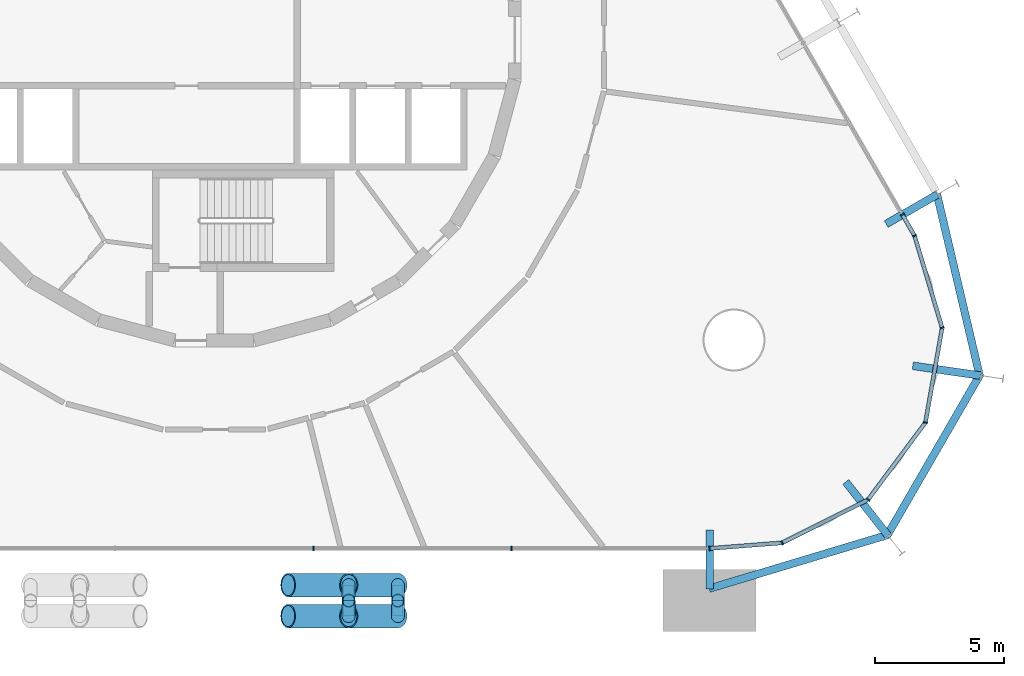
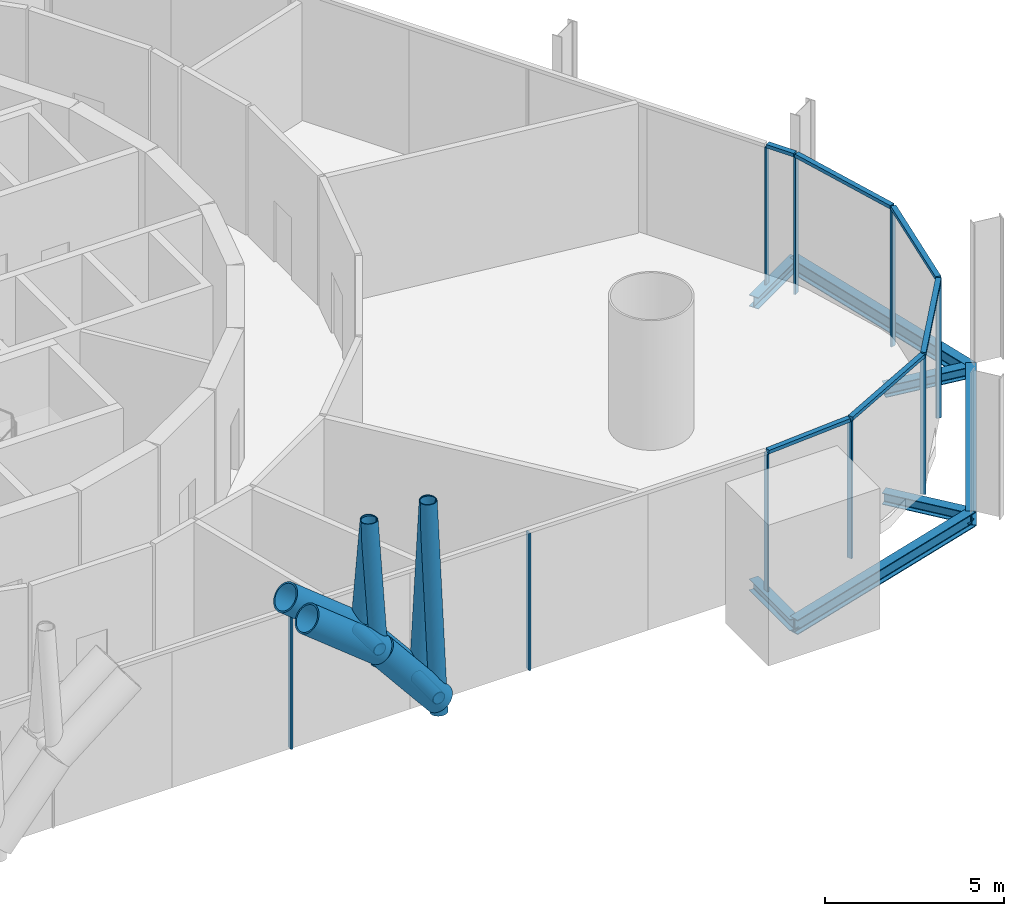
# One storey, part 6 of 17: 25 members, 7 beams, 3 elements without a shape of their own.
"""IFC4 building model written with IfcOpenShell, lengths in metres."""

from ifc_helpers import new_model, si_unit, direction, frame, origin, origin_2d, place, context, subcontext, project, spatial, rectangle, hollow_circle, i_section, extrude, material, layer, layer_set, material_profile, profile_set, type_object, element, aggregate, save


model = new_model("IFC4")

# Units and contexts
model_context = context("Model", 3, precision=1e-05, world=origin(), true_north=direction((0.0, 1.0)))
body_context = subcontext(model_context, "Body", "Model", "MODEL_VIEW")
ifc_project = project(units=[si_unit("LENGTHUNIT", "METRE"), si_unit("AREAUNIT", "SQUARE_METRE"), si_unit("VOLUMEUNIT", "CUBIC_METRE"), si_unit("PLANEANGLEUNIT", "RADIAN"), si_unit("MASSUNIT", "GRAM", prefix="KILO")], contexts=[model_context])

# Site, building, storey
site_placement = place(None, origin())
site = spatial("IfcSite", under=ifc_project, at=site_placement, CompositionType="ELEMENT")
building_placement = place(site_placement, origin())
building = spatial("IfcBuilding", under=site, at=building_placement, Name="Spindle Arch Residences", CompositionType="ELEMENT")
storey_placement = place(building_placement, frame((0.0, 0.0, 23.39990234375)))
storey = spatial("IfcBuildingStorey", under=building, at=storey_placement, Name="L04", CompositionType="ELEMENT", Elevation=23.39990234375)

# Members
ifc_material_1 = material(Name="Steel S355J2, intumescent coating R 240", Category="steel")
ifc_material_profile_1 = material_profile(ifc_material_1, hollow_circle(Radius=0.25390625, WallThickness=0.02490234375, at=origin_2d()), Name="CHS 508x25")
ifc_profile_set_1 = profile_set([ifc_material_profile_1], Name="Steel S355J2, intumescent coating R 240")
member_type_1 = type_object("IfcMemberType", Name="Arch hanger CHS 508x25", PredefinedType="BRACE", material=ifc_profile_set_1)
member_1_placement = place(storey_placement, frame((5.21142578125, -21.72998046875, 8.14208984375), z_axis=(0.0, -0.131759755741, -0.991281678822), x_axis=(1.0, 0.0, 0.0)))
element("IfcMember", 1, at=member_1_placement, inside=storey, type_object=member_type_1, Name="Arch hanger 1.14", PredefinedType="BRACE", context=body_context, shape_type="SweptSolid", body=[
    extrude(hollow_circle(Radius=0.25390625, WallThickness=0.02490234375, at=origin_2d()), origin(), (0.0, 0.0, 1.0), 4.552734375),
])
member_2_placement = place(storey_placement, frame((7.11669921875, -21.72998046875, 8.14208984375), z_axis=(0.0, -0.087358368401, -0.996176949879), x_axis=(1.0, 0.0, 0.0)))
element("IfcMember", 2, at=member_2_placement, inside=storey, type_object=member_type_1, Name="Arch hanger 1.15", PredefinedType="BRACE", context=body_context, shape_type="SweptSolid", body=[
    extrude(hollow_circle(Radius=0.25390625, WallThickness=0.02490234375, at=origin_2d()), origin(), (0.0, 0.0, 1.0), 6.86669921875),
])
member_3_placement = place(storey_placement, frame((5.21142578125, -21.72998046875, 8.14208984375), z_axis=(0.0, 0.13181245047, -0.991274673287), x_axis=(-1.0, 0.0, 0.0)))
element("IfcMember", 3, at=member_3_placement, inside=storey, type_object=member_type_1, Name="Arch hanger 2.14", PredefinedType="BRACE", context=body_context, shape_type="SweptSolid", body=[
    extrude(hollow_circle(Radius=0.25390625, WallThickness=0.02490234375, at=origin_2d()), origin(), (0.0, 0.0, 1.0), 4.552734375),
])
member_4_placement = place(storey_placement, frame((7.11669921875, -21.72998046875, 8.14208984375), z_axis=(0.0, 0.087393651791, -0.996173855121), x_axis=(-1.0, 0.0, 0.0)))
element("IfcMember", 4, at=member_4_placement, inside=storey, type_object=member_type_1, Name="Arch hanger 2.15", PredefinedType="BRACE", context=body_context, shape_type="SweptSolid", body=[
    extrude(hollow_circle(Radius=0.25390625, WallThickness=0.02490234375, at=origin_2d()), origin(), (0.0, 0.0, 1.0), 6.86669921875),
])
ifc_material_2 = material(Name="Steel S355J2, intumescent coating R 240", Category="steel")
ifc_material_profile_2 = material_profile(ifc_material_2, hollow_circle(Radius=0.45703125, WallThickness=0.050048828125, at=origin_2d()), Name="CHS 914x50")
ifc_profile_set_2 = profile_set([ifc_material_profile_2], Name="Steel S355J2, intumescent coating R 240")
member_type_2 = type_object("IfcMemberType", Name="Arch rib CHS 914x50", PredefinedType="MEMBER", material=ifc_profile_set_2)
member_5_placement = place(storey_placement, frame((2.8623046875, -22.329833984375, 5.965576171875), z_axis=(0.780852974485, 0.0, -0.624714840738), x_axis=(0.0, 1.0, 0.0)))
element("IfcMember", 5, at=member_5_placement, inside=storey, type_object=member_type_2, Name="Arch rib 1.14", PredefinedType="MEMBER", context=body_context, shape_type="SweptSolid", body=[
    extrude(hollow_circle(Radius=0.45703125, WallThickness=0.050048828125, at=origin_2d()), origin(), (0.0, 0.0, 1.0), 3.00830078125),
])
member_6_placement = place(storey_placement, frame((5.21142578125, -22.329833984375, 4.086181640625), z_axis=(0.633445512731, 0.0, -0.773787297906), x_axis=(0.0, 1.0, 0.0)))
element("IfcMember", 6, at=member_6_placement, inside=storey, type_object=member_type_2, Name="Arch rib 1.15", PredefinedType="MEMBER", context=body_context, shape_type="SweptSolid", body=[
    extrude(hollow_circle(Radius=0.45703125, WallThickness=0.050048828125, at=origin_2d()), origin(), (0.0, 0.0, 1.0), 3.0078125),
])
member_7_placement = place(storey_placement, frame((2.8623046875, -21.1298828125, 5.965576171875), z_axis=(0.780852974485, 0.0, -0.624714840738), x_axis=(0.0, 1.0, 0.0)))
element("IfcMember", 7, at=member_7_placement, inside=storey, type_object=member_type_2, Name="Arch rib 2.14", PredefinedType="MEMBER", context=body_context, shape_type="SweptSolid", body=[
    extrude(hollow_circle(Radius=0.45703125, WallThickness=0.050048828125, at=origin_2d()), origin(), (0.0, 0.0, 1.0), 3.00830078125),
])
member_8_placement = place(storey_placement, frame((5.21142578125, -21.1298828125, 4.086181640625), z_axis=(0.633445512731, 0.0, -0.773787297906), x_axis=(0.0, 1.0, 0.0)))
element("IfcMember", 8, at=member_8_placement, inside=storey, type_object=member_type_2, Name="Arch rib 2.15", PredefinedType="MEMBER", context=body_context, shape_type="SweptSolid", body=[
    extrude(hollow_circle(Radius=0.45703125, WallThickness=0.050048828125, at=origin_2d()), origin(), (0.0, 0.0, 1.0), 3.0078125),
])
ifc_material_3 = material(Name="Steel S355J2, intumescent coating R 240", Category="steel")
ifc_material_profile_3 = material_profile(ifc_material_3, hollow_circle(Radius=0.203125, WallThickness=0.02001953125, at=origin_2d()), Name="CHS 406.4x20")
ifc_profile_set_3 = profile_set([ifc_material_profile_3], Name="Steel S355J2, intumescent coating R 240")
member_type_3 = type_object("IfcMemberType", Name="Arch tie CHS 406.4x20", PredefinedType="MEMBER", material=ifc_profile_set_3)
for number, where, z_axis, x_axis, name in (
    (9, (5.21142578125, -22.329833984375, 4.086181640625), (0.0, 1.0, 0.0), (-1.0, 0.0, 0.0), "Arch tie 14"),
    (10, (7.11669921875, -22.329833984375, 1.7587890625), (0.0, 1.0, 0.0), (-1.0, 0.0, 0.0), "Arch tie 15"),
):
    element("IfcMember", number, at=place(storey_placement, frame(where, z_axis=z_axis, x_axis=x_axis)), inside=storey, type_object=member_type_3, Name=name, PredefinedType="MEMBER", context=body_context, shape_type="SweptSolid", body=[
        extrude(hollow_circle(Radius=0.203125, WallThickness=0.02001953125, at=origin_2d()), origin(), (0.0, 0.0, 1.0), 1.199951171875),
    ])

# Curtain wall, members
ifc_material_4 = material(Name="Aluminium bronze unitised frame with tinted glass", Category="aluminium")
ifc_layer_1 = layer(ifc_material_4, 0.159912109375)
ifc_layer_set_1 = layer_set([ifc_layer_1], Name="CW-D corner wall on the fillet arcs")
curtain_wall_type_1 = type_object("IfcCurtainWallType", Name="CW-D corner wall on the fillet arcs", PredefinedType="NOTDEFINED", material=ifc_layer_set_1)
curtain_wall_1_placement = place(storey_placement, origin())
curtain_wall_1 = element("IfcCurtainWall", 11, at=curtain_wall_1_placement, inside=storey, type_object=curtain_wall_type_1, Name="CW-D L04 run 1", PredefinedType="NOTDEFINED")
ifc_material_5 = material(Name="Aluminium bronze anodised mullion", Category="aluminium")
ifc_material_profile_4 = material_profile(ifc_material_5, rectangle(XDim=0.159912109375, YDim=0.06005859375, at=origin_2d()), Name="MU 60x160")
ifc_profile_set_4 = profile_set([ifc_material_profile_4], Name="Aluminium bronze anodised mullion")
member_type_4 = type_object("IfcMemberType", Name="Bronze mullion 60x160", PredefinedType="MULLION", material=ifc_profile_set_4)
member_9_placement = place(storey_placement, frame((19.2001953125, -19.7099609375, -0.3798828125), z_axis=(0.0, 0.0, 1.0), x_axis=(-0.077364085451, 0.997002907861, 0.0)))
member_9 = element("IfcMember", 12, at=member_9_placement, type_object=member_type_4, Name="CW-D mullion 00", PredefinedType="MULLION", context=body_context, shape_type="SweptSolid", body=[
    extrude(rectangle(XDim=0.159912109375, YDim=0.06005859375, at=origin_2d()), origin(), (0.0, 0.0, 1.0), 4.679931640625),
])
member_10_placement = place(storey_placement, frame((22.007080078125, -19.4921875, -0.3798828125), z_axis=(0.0, 0.0, 1.0), x_axis=(-0.448799176213, 0.893632642326, 0.0)))
member_10 = element("IfcMember", 13, at=member_10_placement, type_object=member_type_4, Name="CW-D mullion 01", PredefinedType="MULLION", context=body_context, shape_type="SweptSolid", body=[
    extrude(rectangle(XDim=0.159912109375, YDim=0.06005859375, at=origin_2d()), origin(), (0.0, 0.0, 1.0), 4.679931640625),
])
member_11_placement = place(storey_placement, frame((25.33740234375, -17.819580078125, -0.3798828125), z_axis=(0.0, 0.0, 1.0), x_axis=(-0.802123189687, 0.597158595823, 0.0)))
member_11 = element("IfcMember", 14, at=member_11_placement, type_object=member_type_4, Name="CW-D mullion 02", PredefinedType="MULLION", context=body_context, shape_type="SweptSolid", body=[
    extrude(rectangle(XDim=0.159912109375, YDim=0.06005859375, at=origin_2d()), origin(), (0.0, 0.0, 1.0), 4.679931640625),
])
member_12_placement = place(storey_placement, frame((27.562744140625, -14.830322265625, -0.3798828125), z_axis=(0.0, 0.0, 1.0), x_axis=(-0.984807752421, 0.173648181019, 0.0)))
member_12 = element("IfcMember", 15, at=member_12_placement, type_object=member_type_4, Name="CW-D mullion 03", PredefinedType="MULLION", context=body_context, shape_type="SweptSolid", body=[
    extrude(rectangle(XDim=0.159912109375, YDim=0.06005859375, at=origin_2d()), origin(), (0.0, 0.0, 1.0), 4.679931640625),
])
member_13_placement = place(storey_placement, frame((28.2099609375, -11.16015625, -0.3798828125), z_axis=(0.0, 0.0, 1.0), x_axis=(-0.957989512975, -0.28680323051, 0.0)))
member_13 = element("IfcMember", 16, at=member_13_placement, type_object=member_type_4, Name="CW-D mullion 04", PredefinedType="MULLION", context=body_context, shape_type="SweptSolid", body=[
    extrude(rectangle(XDim=0.159912109375, YDim=0.06005859375, at=origin_2d()), origin(), (0.0, 0.0, 1.0), 4.679931640625),
])
member_14_placement = place(storey_placement, frame((27.14111328125, -7.58984375, -0.3798828125), z_axis=(0.0, 0.0, 1.0), x_axis=(-0.866025403784, -0.5, 0.0)))
member_14 = element("IfcMember", 17, at=member_14_placement, type_object=member_type_4, Name="CW-D mullion 05", PredefinedType="MULLION", context=body_context, shape_type="SweptSolid", body=[
    extrude(rectangle(XDim=0.159912109375, YDim=0.06005859375, at=origin_2d()), origin(), (0.0, 0.0, 1.0), 4.679931640625),
])

# Curtain wall, member
ifc_material_6 = material(Name="Aluminium bronze unitised frame with tinted glass", Category="aluminium")
ifc_layer_2 = layer(ifc_material_6, 0.159912109375)
ifc_layer_set_2 = layer_set([ifc_layer_2], Name="CW-B amenity podium glazed wall")
curtain_wall_type_2 = type_object("IfcCurtainWallType", Name="CW-B amenity podium glazed wall", PredefinedType="NOTDEFINED", material=ifc_layer_set_2)
curtain_wall_2_placement = place(storey_placement, origin())
curtain_wall_2 = element("IfcCurtainWall", 18, at=curtain_wall_2_placement, inside=storey, type_object=curtain_wall_type_2, Name="CW-B L04 run 2", PredefinedType="NOTDEFINED")
member_15_placement = place(storey_placement, frame((26.66943359375, -6.77294921875, -0.3798828125), z_axis=(0.0, 0.0, 1.0), x_axis=(-0.866025403784, -0.5, 0.0)))
member_15 = element("IfcMember", 19, at=member_15_placement, type_object=member_type_4, Name="CW-B mullion 05", PredefinedType="MULLION", context=body_context, shape_type="SweptSolid", body=[
    extrude(rectangle(XDim=0.159912109375, YDim=0.06005859375, at=origin_2d()), origin(), (0.0, 0.0, 1.0), 4.679931640625),
])
aggregate(curtain_wall_2, [member_15])

# Curtain wall, members
curtain_wall_3_placement = place(storey_placement, origin())
curtain_wall_3 = element("IfcCurtainWall", 20, at=curtain_wall_3_placement, inside=storey, type_object=curtain_wall_type_2, Name="CW-B L04 run 6", PredefinedType="NOTDEFINED")
member_16_placement = place(storey_placement, frame((3.840087890625, -19.7099609375, -0.3798828125), z_axis=(0.0, 0.0, 1.0), x_axis=(0.0, 1.0, 0.0)))
member_16 = element("IfcMember", 21, at=member_16_placement, type_object=member_type_4, Name="CW-B mullion 00", PredefinedType="MULLION", context=body_context, shape_type="SweptSolid", body=[
    extrude(rectangle(XDim=0.159912109375, YDim=0.06005859375, at=origin_2d()), origin(), (0.0, 0.0, 1.0), 4.679931640625),
])
member_17_placement = place(storey_placement, frame((11.52001953125, -19.7099609375, -0.3798828125), z_axis=(0.0, 0.0, 1.0), x_axis=(0.0, 1.0, 0.0)))
member_17 = element("IfcMember", 22, at=member_17_placement, type_object=member_type_4, Name="CW-B mullion 01", PredefinedType="MULLION", context=body_context, shape_type="SweptSolid", body=[
    extrude(rectangle(XDim=0.159912109375, YDim=0.06005859375, at=origin_2d()), origin(), (0.0, 0.0, 1.0), 4.679931640625),
])
aggregate(curtain_wall_3, [member_16, member_17])

# Member
ifc_material_7 = material(Name="Aluminium bronze anodised transom", Category="aluminium")
ifc_material_profile_5 = material_profile(ifc_material_7, rectangle(XDim=0.159912109375, YDim=0.1201171875, at=origin_2d()), Name="TR 120x160")
ifc_profile_set_5 = profile_set([ifc_material_profile_5], Name="Aluminium bronze anodised transom")
member_type_5 = type_object("IfcMemberType", Name="Bronze transom 120x160", PredefinedType="USERDEFINED", material=ifc_profile_set_5)
member_18_placement = place(storey_placement, frame((19.22998046875, -19.70751953125, 4.360107421875), z_axis=(0.997003710875, 0.077353736189, 0.0), x_axis=(-0.077353736189, 0.997003710875, 0.0)))
member_18 = element("IfcMember", 23, at=member_18_placement, type_object=member_type_5, Name="CW-D transom 00", ObjectType="TRANSOM", PredefinedType="USERDEFINED", context=body_context, shape_type="SweptSolid", body=[
    extrude(rectangle(XDim=0.159912109375, YDim=0.1201171875, at=origin_2d()), origin(), (0.0, 0.0, 1.0), 2.75537109375),
])

member_19_placement = place(storey_placement, frame((22.03369140625, -19.478759765625, 4.360107421875), z_axis=(0.893626812559, 0.448810784046, 0.0), x_axis=(-0.448810784046, 0.893626812559, 0.0)))
member_19 = element("IfcMember", 24, at=member_19_placement, type_object=member_type_5, Name="CW-D transom 01", ObjectType="TRANSOM", PredefinedType="USERDEFINED", context=body_context, shape_type="SweptSolid", body=[
    extrude(rectangle(XDim=0.159912109375, YDim=0.1201171875, at=origin_2d()), origin(), (0.0, 0.0, 1.0), 3.6669921875),
])

member_20_placement = place(storey_placement, frame((25.355224609375, -17.79541015625, 4.360107421875), z_axis=(0.597173190998, 0.802112323776, 0.0), x_axis=(-0.802112323776, 0.597173190998, 0.0)))
member_20 = element("IfcMember", 25, at=member_20_placement, type_object=member_type_5, Name="CW-D transom 02", ObjectType="TRANSOM", PredefinedType="USERDEFINED", context=body_context, shape_type="SweptSolid", body=[
    extrude(rectangle(XDim=0.159912109375, YDim=0.1201171875, at=origin_2d()), origin(), (0.0, 0.0, 1.0), 3.666748046875),
])

member_21_placement = place(storey_placement, frame((27.56787109375, -14.80078125, 4.360107421875), z_axis=(0.173709368694, 0.984796961423, 0.0), x_axis=(-0.984796961423, 0.173709368694, 0.0)))
member_21 = element("IfcMember", 26, at=member_21_placement, type_object=member_type_5, Name="CW-D transom 03", ObjectType="TRANSOM", PredefinedType="USERDEFINED", context=body_context, shape_type="SweptSolid", body=[
    extrude(rectangle(XDim=0.159912109375, YDim=0.1201171875, at=origin_2d()), origin(), (0.0, 0.0, 1.0), 3.666748046875),
])

member_22_placement = place(storey_placement, frame((28.201416015625, -11.13134765625, 4.360107421875), z_axis=(-0.286834736274, 0.957980080203, 0.0), x_axis=(-0.957980080203, -0.286834736274, 0.0)))
member_22 = element("IfcMember", 27, at=member_22_placement, type_object=member_type_5, Name="CW-D transom 04", ObjectType="TRANSOM", PredefinedType="USERDEFINED", context=body_context, shape_type="SweptSolid", body=[
    extrude(rectangle(XDim=0.159912109375, YDim=0.1201171875, at=origin_2d()), origin(), (0.0, 0.0, 1.0), 3.666748046875),
])

member_23_placement = place(storey_placement, frame((27.1259765625, -7.56396484375, 4.360107421875), z_axis=(-0.499913830031, 0.866075148324, 0.0), x_axis=(-0.866075148324, -0.499913830031, 0.0)))
member_23 = element("IfcMember", 28, at=member_23_placement, type_object=member_type_5, Name="CW-D transom 05", ObjectType="TRANSOM", PredefinedType="USERDEFINED", context=body_context, shape_type="SweptSolid", body=[
    extrude(rectangle(XDim=0.159912109375, YDim=0.1201171875, at=origin_2d()), origin(), (0.0, 0.0, 1.0), 0.883544921875),
])

aggregate(curtain_wall_1, [member_9, member_18, member_10, member_19, member_11, member_20, member_12, member_21, member_13, member_22, member_14, member_23])

# Beams
ifc_material_8 = material(Name="Steel S460ML, intumescent coating R 120", Category="steel")
ifc_material_profile_6 = material_profile(ifc_material_8, i_section(OverallWidth=0.300048828125, OverallDepth=0.5, WebThickness=0.014404296875, FlangeThickness=0.028076171875, FilletRadius=0.027099609375, at=origin_2d()), Name="HEB 500")
ifc_profile_set_6 = profile_set([ifc_material_profile_6], Name="Steel S460ML, intumescent coating R 120")
beam_type_1 = type_object("IfcBeamType", Name="Exoskeleton edge beam HEB 500", PredefinedType="BEAM", material=ifc_profile_set_6)
beam_1_placement = place(storey_placement, frame((19.177490234375, -21.26708984375, -0.6298828125), z_axis=(0.957564526429, 0.288218975303, 0.0), x_axis=(-0.288218975303, 0.957564526429, 0.0)))
element("IfcBeam", 29, at=beam_1_placement, inside=storey, type_object=beam_type_1, Name="Exoskeleton edge beam 3", PredefinedType="BEAM", context=body_context, shape_type="SweptSolid", body=[
    extrude(i_section(OverallWidth=0.300048828125, OverallDepth=0.5, WebThickness=0.014404296875, FlangeThickness=0.028076171875, FilletRadius=0.027099609375, at=origin_2d()), origin(), (0.0, 0.0, 1.0), 7.25),
])
beam_2_placement = place(storey_placement, frame((26.06689453125, -19.227783203125, -0.6298828125), z_axis=(0.500025200273, 0.866010853911, 0.0), x_axis=(-0.866010853911, 0.500025200273, 0.0)))
element("IfcBeam", 30, at=beam_2_placement, inside=storey, type_object=beam_type_1, Name="Exoskeleton edge beam 4", PredefinedType="BEAM", context=body_context, shape_type="SweptSolid", body=[
    extrude(i_section(OverallWidth=0.300048828125, OverallDepth=0.5, WebThickness=0.014404296875, FlangeThickness=0.028076171875, FilletRadius=0.027099609375, at=origin_2d()), origin(), (0.0, 0.0, 1.0), 7.236572265625),
])
beam_3_placement = place(storey_placement, frame((29.668212890625, -13.03173828125, -0.6298828125), z_axis=(-0.229185730541, 0.973382710406, 0.0), x_axis=(-0.973382710406, -0.229185730541, 0.0)))
element("IfcBeam", 31, at=beam_3_placement, inside=storey, type_object=beam_type_1, Name="Exoskeleton edge beam 5", PredefinedType="BEAM", context=body_context, shape_type="SweptSolid", body=[
    extrude(i_section(OverallWidth=0.300048828125, OverallDepth=0.5, WebThickness=0.014404296875, FlangeThickness=0.028076171875, FilletRadius=0.027099609375, at=origin_2d()), origin(), (0.0, 0.0, 1.0), 7.25),
])
ifc_material_9 = material(Name="Steel S460ML, intumescent coating R 120", Category="steel")
ifc_material_profile_7 = material_profile(ifc_material_9, i_section(OverallWidth=0.300048828125, OverallDepth=0.389892578125, WebThickness=0.010986328125, FlangeThickness=0.01904296875, FilletRadius=0.027099609375, at=origin_2d()), Name="HEA 400")
ifc_profile_set_7 = profile_set([ifc_material_profile_7], Name="Steel S460ML, intumescent coating R 120")
beam_type_2 = type_object("IfcBeamType", Name="Floor outrigger HEA 400", PredefinedType="BEAM", material=ifc_profile_set_7)
beam_4_placement = place(storey_placement, frame((19.2001953125, -21.27978515625, -0.574951171875), z_axis=(0.0, 1.0, 0.0), x_axis=(-1.0, 0.0, 0.0)))
element("IfcBeam", 32, at=beam_4_placement, inside=storey, type_object=beam_type_2, Name="Floor outrigger 3", PredefinedType="BEAM", context=body_context, shape_type="SweptSolid", body=[
    extrude(i_section(OverallWidth=0.300048828125, OverallDepth=0.389892578125, WebThickness=0.010986328125, FlangeThickness=0.01904296875, FilletRadius=0.027099609375, at=origin_2d()), origin(), (0.0, 0.0, 1.0), 2.2939453125),
])
for number, where, z_axis, x_axis, name in (
    (33, (26.11328125, -19.211669921875, -0.574951171875), (-0.618586231558, 0.785716917297, 0.0), (-0.785716917297, -0.618586231558, 0.0), "Floor outrigger 4"),
    (34, (29.694580078125, -13.009033203125, -0.574951171875), (-0.989738348309, 0.142891573883, 0.0), (-0.142891573883, -0.989738348309, 0.0), "Floor outrigger 5"),
):
    element("IfcBeam", number, at=place(storey_placement, frame(where, z_axis=z_axis, x_axis=x_axis)), inside=storey, type_object=beam_type_2, Name=name, PredefinedType="BEAM", context=body_context, shape_type="SweptSolid", body=[
        extrude(i_section(OverallWidth=0.300048828125, OverallDepth=0.389892578125, WebThickness=0.010986328125, FlangeThickness=0.01904296875, FilletRadius=0.027099609375, at=origin_2d()), origin(), (0.0, 0.0, 1.0), 2.64990234375),
    ])
beam_5_placement = place(storey_placement, frame((28.029052734375, -5.98779296875, -0.574951171875), z_axis=(-0.866001280077, -0.50004178116, 0.0), x_axis=(0.50004178116, -0.866001280077, 0.0)))
element("IfcBeam", 35, at=beam_5_placement, inside=storey, type_object=beam_type_2, Name="Floor outrigger 6", PredefinedType="BEAM", context=body_context, shape_type="SweptSolid", body=[
    extrude(i_section(OverallWidth=0.300048828125, OverallDepth=0.389892578125, WebThickness=0.010986328125, FlangeThickness=0.01904296875, FilletRadius=0.027099609375, at=origin_2d()), origin(), (0.0, 0.0, 1.0), 2.294189453125),
])

save(model, "model.ifc")
